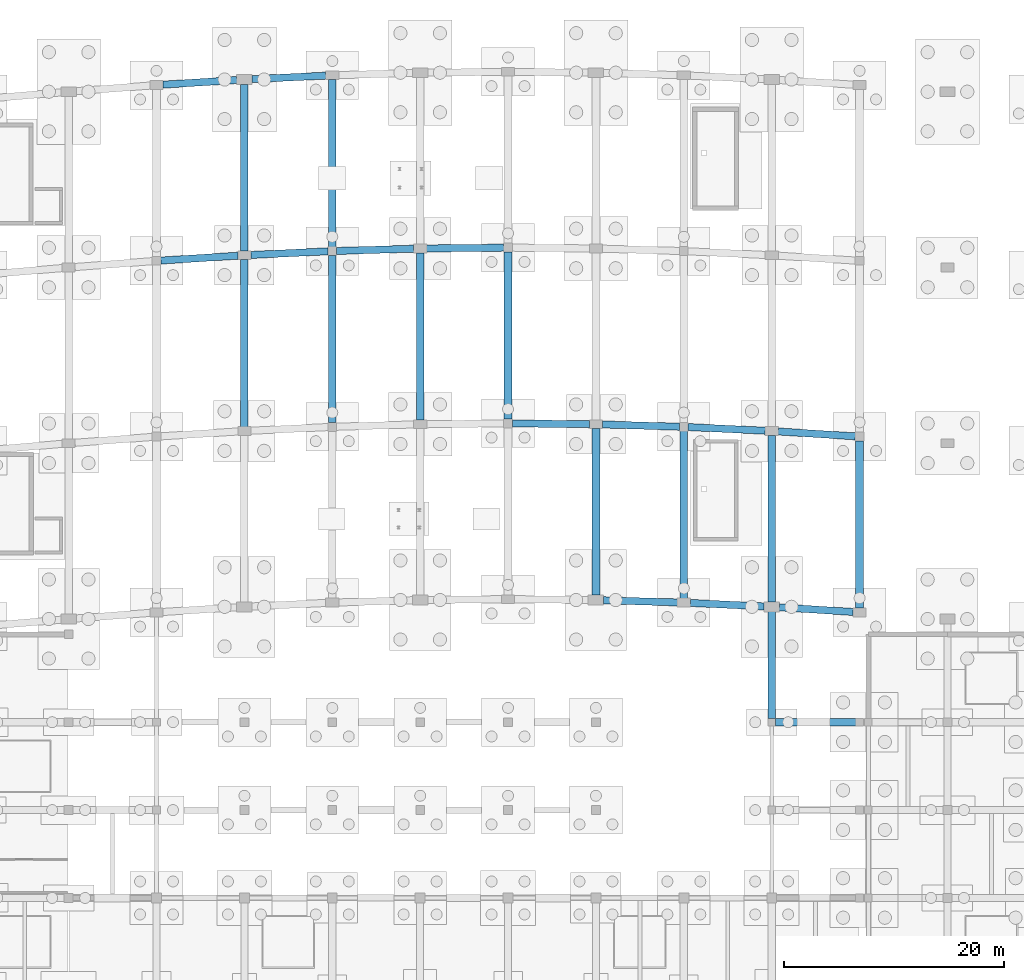
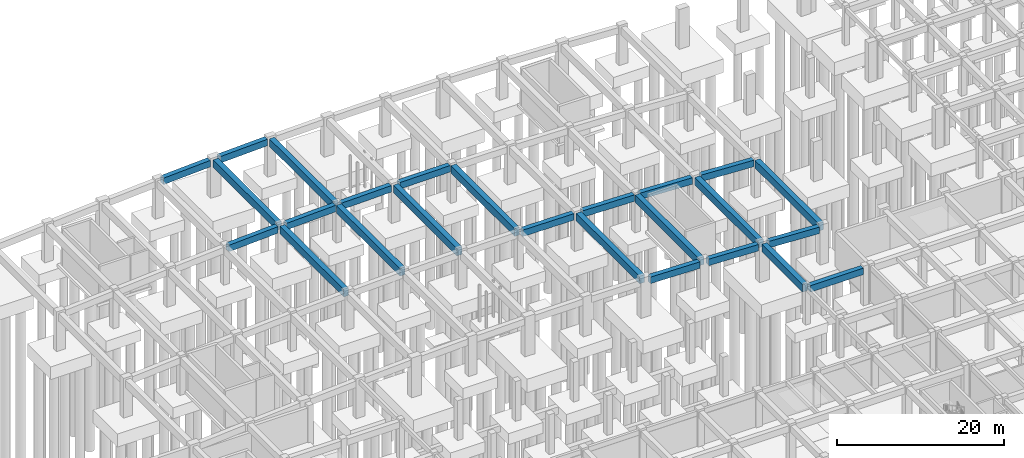
# One storey, part 19 of 45: 25 beams.
"""IFC4 building model written with IfcOpenShell, lengths in metres."""

import ifcopenshell
import ifcopenshell.guid

model = None  # the IFC model being written
_history = None  # IfcOwnerHistory: only IFC2X3 demands one
_inside = {}  # id of a spatial element -> (the spatial element, [elements in it])
_under = {}  # id of a project, library or spatial element -> (it, [spatial elements below it])
_declared = {}  # id of a project -> (the project, [libraries it declares])
_typed = {}  # id of a type object -> (the type object, [elements of that type])
_made_of = {}  # id of a material, layer set ... -> (it, [elements and type objects made of it])


def new_model(schema):
    """Start an empty IFC model of exactly this schema.

    Asked for "IFC4X3", IfcOpenShell would pick the latest addendum, in which some entities
    have other attributes; the version numbers below select the first issue.
    IFC2X3 requires an IfcOwnerHistory on every rooted entity: one is made here for all.
    """
    global model, _history
    if schema == "IFC4X3":
        model = ifcopenshell.file(schema_version=(4, 3, 0, 0))
    else:
        model = ifcopenshell.file(schema=schema)
    _inside.clear()
    _under.clear()
    _declared.clear()
    _typed.clear()
    _made_of.clear()
    _history = None
    if model.schema == "IFC2X3":
        org = make("IfcOrganization", Name="unknown")
        user = make(
            "IfcPersonAndOrganization",
            ThePerson=make("IfcPerson", FamilyName="unknown"),
            TheOrganization=org,
        )
        app = make(
            "IfcApplication",
            ApplicationDeveloper=org,
            Version="unknown",
            ApplicationFullName="unknown",
            ApplicationIdentifier="unknown",
        )
        _history = make(
            "IfcOwnerHistory",
            OwningUser=user,
            OwningApplication=app,
            ChangeAction="ADDED",
            CreationDate=0,
        )
    return model


def make(cls, **values):
    """One entity of the class cls with the attributes given. An attribute that is None is left unset."""
    return model.create_entity(
        cls, **{name: value for name, value in values.items() if value is not None}
    )


def rooted(cls, **values):
    """An entity with a GlobalId (a new one), such as an element, a storey or a relation."""
    return make(cls, GlobalId=ifcopenshell.guid.new(), OwnerHistory=_history, **values)


def si_unit(unit_type, name, prefix=None):
    """IfcSIUnit, for example si_unit("LENGTHUNIT", "METRE", prefix="MILLI")."""
    return make("IfcSIUnit", UnitType=unit_type, Prefix=prefix, Name=name)


def assignment(units):
    """IfcUnitAssignment: the units of a project."""
    return None if units is None else make("IfcUnitAssignment", Units=units)


def point(xyz):
    """IfcCartesianPoint."""
    return None if xyz is None else make("IfcCartesianPoint", Coordinates=xyz)


def direction(xyz):
    """IfcDirection."""
    return None if xyz is None else make("IfcDirection", DirectionRatios=xyz)


def frame(location, z_axis=None, x_axis=None):
    """IfcAxis2Placement3D, a coordinate frame: its origin and axes. An axis left out is left unset."""
    return make(
        "IfcAxis2Placement3D",
        Location=point(location),
        Axis=direction(z_axis),
        RefDirection=direction(x_axis),
    )


def frame_2d(location, x_axis=None):
    """IfcAxis2Placement2D, a coordinate frame in the plane: its origin and x axis."""
    return make(
        "IfcAxis2Placement2D", Location=point(location), RefDirection=direction(x_axis)
    )


def origin():
    """The frame at (0, 0, 0) with its axes left unset."""
    return frame((0.0, 0.0, 0.0))


def origin_2d():
    """The frame at (0, 0) in the plane with its x axis left unset."""
    return frame_2d((0.0, 0.0))


def place(relative_to, where):
    """IfcLocalPlacement: puts the frame where relative to a parent placement (None: the world)."""
    return make(
        "IfcLocalPlacement", PlacementRelTo=relative_to, RelativePlacement=where
    )


def context(
    kind, dimensions, precision=None, world=None, true_north=None, identifier=None
):
    """IfcGeometricRepresentationContext, for example the 3D "Model" context."""
    return make(
        "IfcGeometricRepresentationContext",
        ContextIdentifier=identifier,
        ContextType=kind,
        CoordinateSpaceDimension=dimensions,
        Precision=precision,
        WorldCoordinateSystem=world,
        TrueNorth=true_north,
    )


def subcontext(parent, identifier, kind, view, scale=None):
    """IfcGeometricRepresentationSubContext, for example "Body" below "Model"."""
    return make(
        "IfcGeometricRepresentationSubContext",
        ContextIdentifier=identifier,
        ContextType=kind,
        ParentContext=parent,
        TargetScale=scale,
        TargetView=view,
    )


def project(units=None, contexts=None):
    """IfcProject with its units and contexts."""
    return rooted(
        "IfcProject",
        Name="project",
        RepresentationContexts=contexts,
        UnitsInContext=assignment(units),
    )


def spatial(cls, under=None, at=None, **own):
    """A site, building, storey or space (cls), placed at a placement, below another one or the project."""
    s = rooted(cls, ObjectPlacement=at, **own)
    if under is not None:
        _under.setdefault(under.id(), (under, []))[1].append(s)
    return s


def profile(cls, at=None, kind="AREA", **sizes):
    """A parametric profile (cls). Its sizes go by their IFC names, for example OverallWidth=200.0."""
    return make(cls, ProfileType=kind, Position=at, **sizes)


def rectangle(**sizes):
    """IfcRectangleProfileDef."""
    return profile("IfcRectangleProfileDef", **sizes)


def extrude(swept, where, along, depth):
    """IfcExtrudedAreaSolid: the profile swept, set in the frame where, extruded along a direction by depth."""
    return make(
        "IfcExtrudedAreaSolid",
        SweptArea=swept,
        Position=where,
        ExtrudedDirection=direction(along),
        Depth=depth,
    )


def shape(context_of_items, identifier, shape_type, items):
    """IfcShapeRepresentation: the items that make up one representation, for example the "Body"."""
    return make(
        "IfcShapeRepresentation",
        ContextOfItems=context_of_items,
        RepresentationIdentifier=identifier,
        RepresentationType=shape_type,
        Items=items,
    )


def material(Name=None, Category=None):
    """IfcMaterial."""
    return make("IfcMaterial", Name=Name, Category=Category)


def material_profile(
    of_material, cross_section, Name=None, Category=None, Priority=None
):
    """IfcMaterialProfile: a cross section and its material."""
    return make(
        "IfcMaterialProfile",
        Name=Name,
        Material=of_material,
        Profile=cross_section,
        Priority=Priority,
        Category=Category,
    )


def profile_set(profiles, Name=None, composite=None):
    """IfcMaterialProfileSet."""
    return make(
        "IfcMaterialProfileSet",
        Name=Name,
        MaterialProfiles=profiles,
        CompositeProfile=composite,
    )


def made_of(thing, what):
    """Note that an element or type object is made of a material, layer set ...; save() writes the relation."""
    if what is not None:
        _made_of.setdefault(what.id(), (what, []))[1].append(thing)
    return thing


def type_object(cls, material=None, **own):
    """A type object (cls), such as IfcWallType, which elements share."""
    return made_of(rooted(cls, **own), material)


def element(
    cls,
    number,
    at=None,
    inside=None,
    cuts=None,
    type_object=None,
    material=None,
    context=None,
    identifier="Body",
    shape_type=None,
    held_by="IfcProductDefinitionShape",
    body=None,
    shapes=None,
    **own,
):
    """One element of the class cls, such as IfcWall. Its Tag is "e" and its number.

    at: its placement. inside: the storey or other place that contains it. cuts: it is an
    opening in that element (IfcRelVoidsElement). A single representation is given by context,
    identifier, shape_type and body (its items); several are given by shapes. held_by: the class
    of the entity that holds the representations. save() writes the other relations.
    """
    e = rooted(cls, Tag="e%d" % number, ObjectPlacement=at, **own)
    if body is not None:
        shapes = [shape(context, identifier, shape_type, body)]
    if shapes is not None:
        e.Representation = make(held_by, Representations=shapes)
    if inside is not None:
        _inside.setdefault(inside.id(), (inside, []))[1].append(e)
    if cuts is not None:
        rooted(
            "IfcRelVoidsElement", RelatingBuildingElement=cuts, RelatedOpeningElement=e
        )
    if type_object is not None:
        _typed.setdefault(type_object.id(), (type_object, []))[1].append(e)
    return made_of(e, material)


def aggregate(whole, parts):
    """IfcRelAggregates: a whole, such as a stair, and the parts it consists of."""
    return rooted("IfcRelAggregates", RelatingObject=whole, RelatedObjects=parts)


def save(model, path):
    """Write the relations noted so far, then the file.

    IfcRelAggregates (storeys below a building ...), IfcRelContainedInSpatialStructure (elements
    in a storey), IfcRelDefinesByType, IfcRelAssociatesMaterial and IfcRelDeclares: one each for
    every whole, place, type object, material and project.
    """
    for whole, parts in _under.values():
        aggregate(whole, parts)
    for where, things in _inside.values():
        rooted(
            "IfcRelContainedInSpatialStructure",
            RelatedElements=things,
            RelatingStructure=where,
        )
    for kind, things in _typed.values():
        rooted("IfcRelDefinesByType", RelatedObjects=things, RelatingType=kind)
    for what, things in _made_of.values():
        rooted("IfcRelAssociatesMaterial", RelatedObjects=things, RelatingMaterial=what)
    for by, libraries in _declared.values():
        rooted("IfcRelDeclares", RelatingContext=by, RelatedDefinitions=libraries)
    model.write(path)


model = new_model("IFC4")

# Units and contexts
model_context = context("Model", 3, precision=1e-05, world=origin(), true_north=direction((0.0, 1.0)))
body_context = subcontext(model_context, "Body", "Model", "MODEL_VIEW")
ifc_project = project(units=[si_unit("LENGTHUNIT", "METRE"), si_unit("AREAUNIT", "SQUARE_METRE"), si_unit("VOLUMEUNIT", "CUBIC_METRE"), si_unit("PLANEANGLEUNIT", "RADIAN"), si_unit("MASSUNIT", "GRAM", prefix="KILO")], contexts=[model_context])

# Site, building, storey
site_placement = place(None, origin())
site = spatial("IfcSite", under=ifc_project, at=site_placement, CompositionType="ELEMENT")
building_placement = place(site_placement, origin())
building = spatial("IfcBuilding", under=site, at=building_placement, Name="Kenh Van Central Station", CompositionType="ELEMENT")
storey_placement = place(building_placement, frame((0.0, 0.0, -5.39990234375)))
storey = spatial("IfcBuildingStorey", under=building, at=storey_placement, Name="B1", CompositionType="ELEMENT", Elevation=-5.39990234375)

# Beams
ifc_material = material(Name="Concrete C40/50", Category="concrete")
ifc_material_profile_1 = material_profile(ifc_material, rectangle(XDim=0.64990234375, YDim=0.949951171875, at=origin_2d()), Name="RC 650x950")
ifc_profile_set_1 = profile_set([ifc_material_profile_1], Name="Concrete C40/50")
beam_type_1 = type_object("IfcBeamType", Name="BM-RC-650x950", PredefinedType="BEAM", material=ifc_profile_set_1)
beam_1_placement = place(storey_placement, frame((112.340087890625, 56.0, 4.625), z_axis=(1.0, 0.0, 0.0), x_axis=(0.0, 1.0, 0.0)))
element("IfcBeam", 1, at=beam_1_placement, inside=storey, type_object=beam_type_1, Name="B1 beam 0114", PredefinedType="BEAM", context=body_context, shape_type="SweptSolid", body=[
    extrude(rectangle(XDim=0.64990234375, YDim=0.949951171875, at=origin_2d()), origin(), (0.0, 0.0, 1.0), 7.31982421875),
])
beam_2_placement = place(storey_placement, frame((96.689697265625, 67.099365234375, 4.625), z_axis=(0.999563065499, -0.029558046112, 0.0), x_axis=(0.029558046112, 0.999563065499, 0.0)))
element("IfcBeam", 2, at=beam_2_placement, inside=storey, type_object=beam_type_1, Name="B1 viaduct girder 1309", PredefinedType="BEAM", context=body_context, shape_type="SweptSolid", body=[
    extrude(rectangle(XDim=0.64990234375, YDim=0.949951171875, at=origin_2d()), origin(), (0.0, 0.0, 1.0), 6.723388671875),
])
beam_3_placement = place(storey_placement, frame((104.58935546875, 66.85498046875, 4.625), z_axis=(0.998866413286, -0.047601348815, 0.0), x_axis=(0.047601348815, 0.998866413286, 0.0)))
element("IfcBeam", 3, at=beam_3_placement, inside=storey, type_object=beam_type_1, Name="B1 viaduct girder 1310", PredefinedType="BEAM", context=body_context, shape_type="SweptSolid", body=[
    extrude(rectangle(XDim=0.64990234375, YDim=0.949951171875, at=origin_2d()), origin(), (0.0, 0.0, 1.0), 6.72900390625),
])
beam_4_placement = place(storey_placement, frame((112.688720703125, 66.458251953125, 4.625), z_axis=(0.99800019098, -0.06321090732, 0.0), x_axis=(0.06321090732, 0.99800019098, 0.0)))
element("IfcBeam", 4, at=beam_4_placement, inside=storey, type_object=beam_type_1, Name="B1 viaduct girder 1311", PredefinedType="BEAM", context=body_context, shape_type="SweptSolid", body=[
    extrude(rectangle(XDim=0.64990234375, YDim=0.949951171875, at=origin_2d()), origin(), (0.0, 0.0, 1.0), 6.73583984375),
])
beam_5_placement = place(storey_placement, frame((88.389892578125, 83.196044921875, 4.625), z_axis=(0.999949843668, -0.010015495409, 0.0), x_axis=(0.010015495409, 0.999949843668, 0.0)))
element("IfcBeam", 5, at=beam_5_placement, inside=storey, type_object=beam_type_1, Name="B1 viaduct girder 1319", PredefinedType="BEAM", context=body_context, shape_type="SweptSolid", body=[
    extrude(rectangle(XDim=0.64990234375, YDim=0.949951171875, at=origin_2d()), origin(), (0.0, 0.0, 1.0), 7.020263671875),
])
beam_6_placement = place(storey_placement, frame((96.58984375, 83.102294921875, 4.625), z_axis=(0.999562359797, -0.029581901172, 0.0), x_axis=(0.029581901172, 0.999562359797, 0.0)))
element("IfcBeam", 6, at=beam_6_placement, inside=storey, type_object=beam_type_1, Name="B1 viaduct girder 1320", PredefinedType="BEAM", context=body_context, shape_type="SweptSolid", body=[
    extrude(rectangle(XDim=0.64990234375, YDim=0.949951171875, at=origin_2d()), origin(), (0.0, 0.0, 1.0), 7.0234375),
])
beam_7_placement = place(storey_placement, frame((104.3896484375, 82.864501953125, 4.625), z_axis=(0.998867194536, -0.04758495224, 0.0), x_axis=(0.04758495224, 0.998867194536, 0.0)))
element("IfcBeam", 7, at=beam_7_placement, inside=storey, type_object=beam_type_1, Name="B1 viaduct girder 1321", PredefinedType="BEAM", context=body_context, shape_type="SweptSolid", body=[
    extrude(rectangle(XDim=0.64990234375, YDim=0.949951171875, at=origin_2d()), origin(), (0.0, 0.0, 1.0), 7.029052734375),
])
for number, where, z_axis, x_axis, name in (
    (8, (112.5888671875, 82.464599609375, 4.625), (0.997999567519, -0.063220750018, 0.0), (0.063220750018, 0.997999567519, 0.0), "B1 viaduct girder 1322"),
    (9, (56.38916015625, 98.019775390625, 4.625), (0.997999567519, 0.063220750018, 0.0), (-0.063220750018, 0.997999567519, 0.0), "B1 viaduct girder 1326"),
):
    element("IfcBeam", number, at=place(storey_placement, frame(where, z_axis=z_axis, x_axis=x_axis)), inside=storey, type_object=beam_type_1, Name=name, PredefinedType="BEAM", context=body_context, shape_type="SweptSolid", body=[
        extrude(rectangle(XDim=0.64990234375, YDim=0.949951171875, at=origin_2d()), origin(), (0.0, 0.0, 1.0), 7.0361328125),
    ])
beam_8_placement = place(storey_placement, frame((64.58935546875, 98.530029296875, 4.625), z_axis=(0.998867194536, 0.04758495224, 0.0), x_axis=(-0.04758495224, 0.998867194536, 0.0)))
element("IfcBeam", 10, at=beam_8_placement, inside=storey, type_object=beam_type_1, Name="B1 viaduct girder 1327", PredefinedType="BEAM", context=body_context, shape_type="SweptSolid", body=[
    extrude(rectangle(XDim=0.64990234375, YDim=0.949951171875, at=origin_2d()), origin(), (0.0, 0.0, 1.0), 7.029052734375),
])
beam_9_placement = place(storey_placement, frame((72.389892578125, 98.89453125, 4.625), z_axis=(0.999562359797, 0.029581901172, 0.0), x_axis=(-0.029581901172, 0.999562359797, 0.0)))
element("IfcBeam", 11, at=beam_9_placement, inside=storey, type_object=beam_type_1, Name="B1 viaduct girder 1328", PredefinedType="BEAM", context=body_context, shape_type="SweptSolid", body=[
    extrude(rectangle(XDim=0.64990234375, YDim=0.949951171875, at=origin_2d()), origin(), (0.0, 0.0, 1.0), 7.0234375),
])
beam_10_placement = place(storey_placement, frame((80.590087890625, 99.125732421875, 4.625), z_axis=(0.999949843668, 0.010015495409, 0.0), x_axis=(-0.010015495409, 0.999949843668, 0.0)))
element("IfcBeam", 12, at=beam_10_placement, inside=storey, type_object=beam_type_1, Name="B1 viaduct girder 1329", PredefinedType="BEAM", context=body_context, shape_type="SweptSolid", body=[
    extrude(rectangle(XDim=0.64990234375, YDim=0.949951171875, at=origin_2d()), origin(), (0.0, 0.0, 1.0), 7.020263671875),
])
beam_11_placement = place(storey_placement, frame((56.5888671875, 114.032470703125, 4.625), z_axis=(0.99800019098, 0.06321090732, 0.0), x_axis=(-0.06321090732, 0.99800019098, 0.0)))
element("IfcBeam", 13, at=beam_11_placement, inside=storey, type_object=beam_type_1, Name="B1 viaduct girder 1337", PredefinedType="BEAM", context=body_context, shape_type="SweptSolid", body=[
    extrude(rectangle(XDim=0.64990234375, YDim=0.949951171875, at=origin_2d()), origin(), (0.0, 0.0, 1.0), 6.73583984375),
])
beam_12_placement = place(storey_placement, frame((64.689208984375, 114.53466796875, 4.625), z_axis=(0.998866413286, 0.047601348815, 0.0), x_axis=(-0.047601348815, 0.998866413286, 0.0)))
element("IfcBeam", 14, at=beam_12_placement, inside=storey, type_object=beam_type_1, Name="B1 viaduct girder 1338", PredefinedType="BEAM", context=body_context, shape_type="SweptSolid", body=[
    extrude(rectangle(XDim=0.64990234375, YDim=0.949951171875, at=origin_2d()), origin(), (0.0, 0.0, 1.0), 6.72900390625),
])
ifc_material_profile_2 = material_profile(ifc_material, rectangle(XDim=0.699951171875, YDim=1.10009765625, at=origin_2d()), Name="RC 700x1100")
ifc_profile_set_2 = profile_set([ifc_material_profile_2], Name="Concrete C40/50")
beam_type_2 = type_object("IfcBeamType", Name="BM-RC-700x1100", PredefinedType="BEAM", material=ifc_profile_set_2)
beam_13_placement = place(storey_placement, frame((112.0, 56.340087890625, 4.5498046875), z_axis=(0.0, 1.0, 0.0), x_axis=(-1.0, 0.0, 0.0)))
element("IfcBeam", 15, at=beam_13_placement, inside=storey, type_object=beam_type_2, Name="B1 beam 0227", PredefinedType="BEAM", context=body_context, shape_type="SweptSolid", body=[
    extrude(rectangle(XDim=0.699951171875, YDim=1.10009765625, at=origin_2d()), origin(), (0.0, 0.0, 1.0), 9.721923828125),
])
beam_14_placement = place(storey_placement, frame((64.0, 82.891845703125, 4.5498046875), z_axis=(0.0, 1.0, 0.0), x_axis=(-1.0, 0.0, 0.0)))
element("IfcBeam", 16, at=beam_14_placement, inside=storey, type_object=beam_type_2, Name="B1 viaduct cross-girder 1358", PredefinedType="BEAM", context=body_context, shape_type="SweptSolid", body=[
    extrude(rectangle(XDim=0.699951171875, YDim=1.10009765625, at=origin_2d()), origin(), (0.0, 0.0, 1.0), 15.219970703125),
])
beam_15_placement = place(storey_placement, frame((64.0, 98.891845703125, 4.5498046875), z_axis=(0.0, 1.0, 0.0), x_axis=(-1.0, 0.0, 0.0)))
element("IfcBeam", 17, at=beam_15_placement, inside=storey, type_object=beam_type_2, Name="B1 viaduct cross-girder 1359", PredefinedType="BEAM", context=body_context, shape_type="SweptSolid", body=[
    extrude(rectangle(XDim=0.699951171875, YDim=1.10009765625, at=origin_2d()), origin(), (0.0, 0.0, 1.0), 15.170166015625),
])
for number, where, z_axis, x_axis, name in (
    (18, (72.0, 83.273193359375, 4.5498046875), (0.0, 1.0, 0.0), (-1.0, 0.0, 0.0), "B1 viaduct cross-girder 1361"),
    (19, (72.0, 99.273193359375, 4.5498046875), (0.0, 1.0, 0.0), (-1.0, 0.0, 0.0), "B1 viaduct cross-girder 1362"),
    (20, (80.0, 83.509765625, 4.5498046875), (0.0, 1.0, 0.0), (-1.0, 0.0, 0.0), "B1 viaduct cross-girder 1364"),
    (21, (88.0, 83.590087890625, 4.5498046875), (0.0, 1.0, 0.0), (-1.0, 0.0, 0.0), "B1 viaduct cross-girder 1367"),
):
    element("IfcBeam", number, at=place(storey_placement, frame(where, z_axis=z_axis, x_axis=x_axis)), inside=storey, type_object=beam_type_2, Name=name, PredefinedType="BEAM", context=body_context, shape_type="SweptSolid", body=[
        extrude(rectangle(XDim=0.699951171875, YDim=1.10009765625, at=origin_2d()), origin(), (0.0, 0.0, 1.0), 15.219970703125),
    ])
beam_16_placement = place(storey_placement, frame((96.0, 67.559814453125, 4.5498046875), z_axis=(0.0, 1.0, 0.0), x_axis=(-1.0, 0.0, 0.0)))
element("IfcBeam", 22, at=beam_16_placement, inside=storey, type_object=beam_type_2, Name="B1 viaduct cross-girder 1369", PredefinedType="BEAM", context=body_context, shape_type="SweptSolid", body=[
    extrude(rectangle(XDim=0.699951171875, YDim=1.10009765625, at=origin_2d()), origin(), (0.0, 0.0, 1.0), 15.169921875),
])
beam_17_placement = place(storey_placement, frame((104.0, 67.273193359375, 4.5498046875), z_axis=(0.0, 1.0, 0.0), x_axis=(-1.0, 0.0, 0.0)))
element("IfcBeam", 23, at=beam_17_placement, inside=storey, type_object=beam_type_2, Name="B1 viaduct cross-girder 1372", PredefinedType="BEAM", context=body_context, shape_type="SweptSolid", body=[
    extrude(rectangle(XDim=0.699951171875, YDim=1.10009765625, at=origin_2d()), origin(), (0.0, 0.0, 1.0), 15.219970703125),
])
beam_18_placement = place(storey_placement, frame((112.0, 66.94189453125, 4.5498046875), z_axis=(0.0, 1.0, 0.0), x_axis=(-1.0, 0.0, 0.0)))
element("IfcBeam", 24, at=beam_18_placement, inside=storey, type_object=beam_type_2, Name="B1 viaduct cross-girder 1375", PredefinedType="BEAM", context=body_context, shape_type="SweptSolid", body=[
    extrude(rectangle(XDim=0.699951171875, YDim=1.10009765625, at=origin_2d()), origin(), (0.0, 0.0, 1.0), 15.169921875),
])
beam_19_placement = place(storey_placement, frame((120.0, 66.38525390625, 4.5498046875), z_axis=(0.0, 1.0, 0.0), x_axis=(-1.0, 0.0, 0.0)))
element("IfcBeam", 25, at=beam_19_placement, inside=storey, type_object=beam_type_2, Name="B1 viaduct cross-girder 1378", PredefinedType="BEAM", context=body_context, shape_type="SweptSolid", body=[
    extrude(rectangle(XDim=0.699951171875, YDim=1.10009765625, at=origin_2d()), origin(), (0.0, 0.0, 1.0), 15.219970703125),
])

save(model, "model.ifc")
